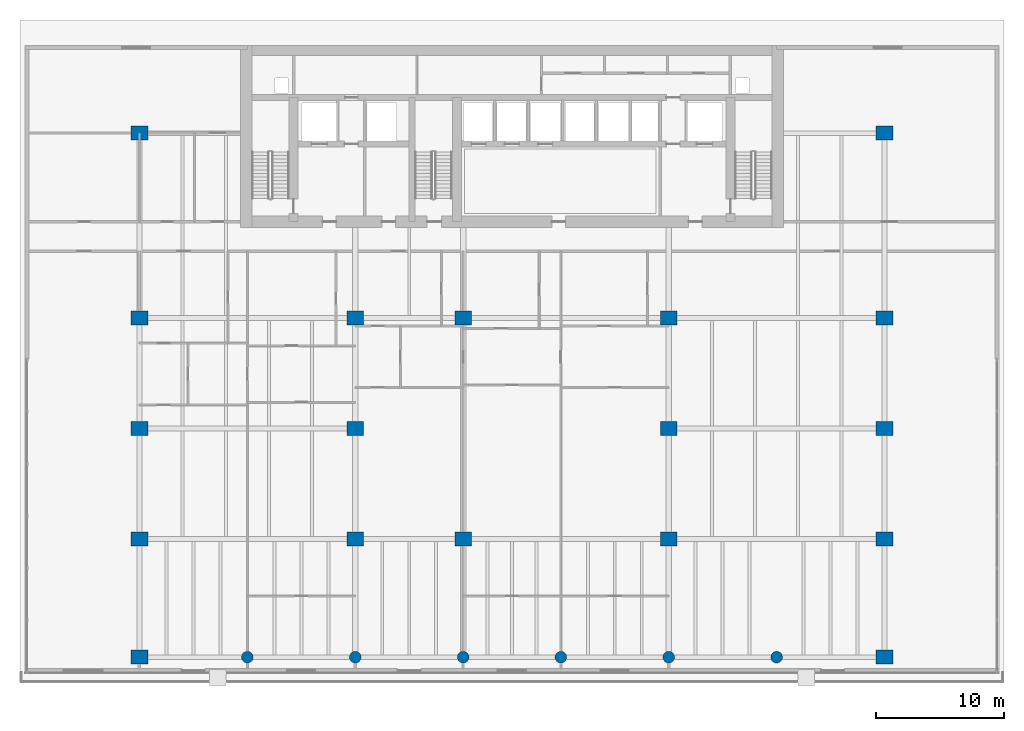
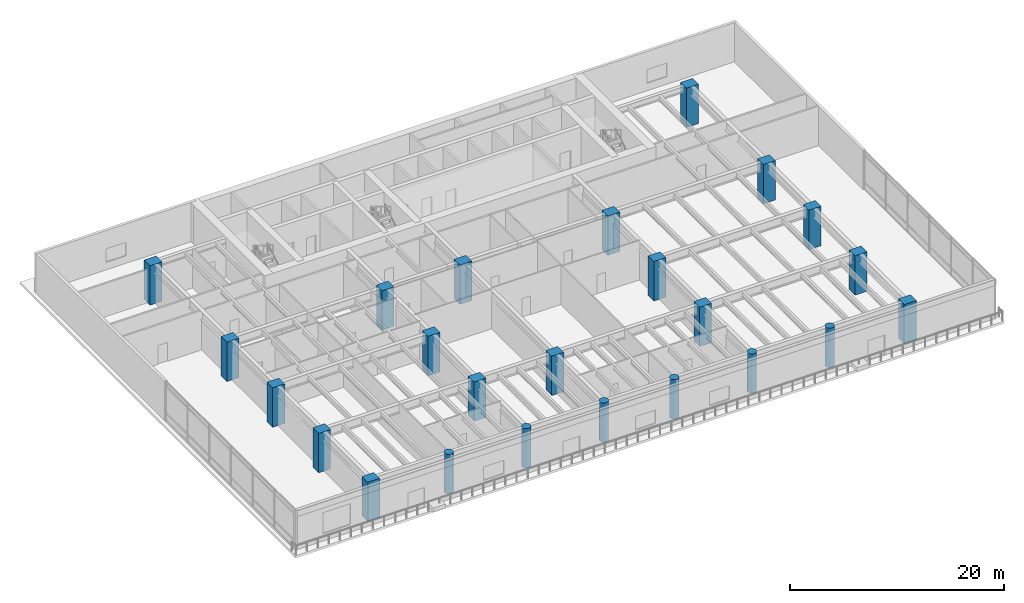
# One storey, part 1 of 14: 24 columns.
"""IFC4 building model written with IfcOpenShell, lengths in metres."""

from ifc_helpers import new_model, si_unit, direction, frame, origin, origin_2d, place, context, subcontext, project, spatial, rectangle, circle, extrude, material, material_profile, profile_set, type_object, element, save


model = new_model("IFC4")

# Units and contexts
model_context = context("Model", 3, precision=1e-05, world=origin(), true_north=direction((0.0, 1.0)))
body_context = subcontext(model_context, "Body", "Model", "MODEL_VIEW")
ifc_project = project(units=[si_unit("LENGTHUNIT", "METRE"), si_unit("AREAUNIT", "SQUARE_METRE"), si_unit("VOLUMEUNIT", "CUBIC_METRE"), si_unit("PLANEANGLEUNIT", "RADIAN"), si_unit("MASSUNIT", "GRAM", prefix="KILO")], contexts=[model_context])

# Site, building, storey
site_placement = place(None, origin())
site = spatial("IfcSite", under=ifc_project, at=site_placement, CompositionType="ELEMENT")
building_placement = place(site_placement, origin())
building = spatial("IfcBuilding", under=site, at=building_placement, Name="Caelmar Bay Residences", CompositionType="ELEMENT")
storey_placement = place(building_placement, frame((0.0, 0.0, 15.0)))
storey = spatial("IfcBuildingStorey", under=building, at=storey_placement, Name="L03", CompositionType="ELEMENT", Elevation=15.0)

# Columns
ifc_material = material(Name="Concrete f'c 70 MPa (10,000 psi)", Category="concrete")
ifc_material_profile_1 = material_profile(ifc_material, rectangle(XDim=1.300048828125, YDim=1.10009765625, at=origin_2d()), Name="RC-COL-1300X1100")
ifc_profile_set_1 = profile_set([ifc_material_profile_1], Name="Concrete f'c 70 MPa (10,000 psi)")
column_type_1 = type_object("IfcColumnType", Name="COL-RC-1300X1100", PredefinedType="COLUMN", material=ifc_profile_set_1)
for number, where, z_axis, x_axis, name in (
    (1, (9.89990234375, 3.0, 0.0), (0.0, 0.0, 1.0), (1.0, 0.0, 0.0), "L03 Column (9.90,3.00)"),
    (2, (67.89990234375, 3.0, 0.0), (0.0, 0.0, 1.0), (1.0, 0.0, 0.0), "L03 Column (67.90,3.00)"),
    (3, (9.89990234375, 12.199951171875, 0.0), (0.0, 0.0, 1.0), (1.0, 0.0, 0.0), "L03 Column (9.90,12.20)"),
    (4, (26.699951171875, 12.199951171875, 0.0), (0.0, 0.0, 1.0), (1.0, 0.0, 0.0), "L03 Column (26.70,12.20)"),
    (5, (35.10009765625, 12.199951171875, 0.0), (0.0, 0.0, 1.0), (1.0, 0.0, 0.0), "L03 Column (35.10,12.20)"),
    (6, (51.10009765625, 12.199951171875, 0.0), (0.0, 0.0, 1.0), (1.0, 0.0, 0.0), "L03 Column (51.10,12.20)"),
    (7, (67.89990234375, 12.199951171875, 0.0), (0.0, 0.0, 1.0), (1.0, 0.0, 0.0), "L03 Column (67.90,12.20)"),
    (8, (9.89990234375, 20.800048828125, 0.0), (0.0, 0.0, 1.0), (1.0, 0.0, 0.0), "L03 Column (9.90,20.80)"),
    (9, (26.699951171875, 20.800048828125, 0.0), (0.0, 0.0, 1.0), (1.0, 0.0, 0.0), "L03 Column (26.70,20.80)"),
    (10, (51.10009765625, 20.800048828125, 0.0), (0.0, 0.0, 1.0), (1.0, 0.0, 0.0), "L03 Column (51.10,20.80)"),
    (11, (67.89990234375, 20.800048828125, 0.0), (0.0, 0.0, 1.0), (1.0, 0.0, 0.0), "L03 Column (67.90,20.80)"),
    (12, (9.89990234375, 29.39990234375, 0.0), (0.0, 0.0, 1.0), (1.0, 0.0, 0.0), "L03 Column (9.90,29.40)"),
    (13, (26.699951171875, 29.39990234375, 0.0), (0.0, 0.0, 1.0), (1.0, 0.0, 0.0), "L03 Column (26.70,29.40)"),
    (14, (35.10009765625, 29.39990234375, 0.0), (0.0, 0.0, 1.0), (1.0, 0.0, 0.0), "L03 Column (35.10,29.40)"),
    (15, (51.10009765625, 29.39990234375, 0.0), (0.0, 0.0, 1.0), (1.0, 0.0, 0.0), "L03 Column (51.10,29.40)"),
    (16, (67.89990234375, 29.39990234375, 0.0), (0.0, 0.0, 1.0), (1.0, 0.0, 0.0), "L03 Column (67.90,29.40)"),
    (17, (9.89990234375, 43.800048828125, 0.0), (0.0, 0.0, 1.0), (1.0, 0.0, 0.0), "L03 Column (9.90,43.80)"),
    (18, (67.89990234375, 43.800048828125, 0.0), (0.0, 0.0, 1.0), (1.0, 0.0, 0.0), "L03 Column (67.90,43.80)"),
):
    element("IfcColumn", number, at=place(storey_placement, frame(where, z_axis=z_axis, x_axis=x_axis)), inside=storey, type_object=column_type_1, Name=name, PredefinedType="COLUMN", context=body_context, shape_type="SweptSolid", body=[
        extrude(rectangle(XDim=1.300048828125, YDim=1.10009765625, at=origin_2d()), origin(), (0.0, 0.0, 1.0), 4.5),
    ])
ifc_material_profile_2 = material_profile(ifc_material, circle(Radius=0.449951171875, at=origin_2d()), Name="RC-COL-900D")
ifc_profile_set_2 = profile_set([ifc_material_profile_2], Name="Concrete f'c 70 MPa (10,000 psi)")
column_type_2 = type_object("IfcColumnType", Name="COL-RC-900D", PredefinedType="COLUMN", material=ifc_profile_set_2)
for number, where, z_axis, x_axis, name in (
    (19, (18.300048828125, 3.0, 0.0), (0.0, 0.0, 1.0), (1.0, 0.0, 0.0), "L03 Column (18.30,3.00)"),
    (20, (26.699951171875, 3.0, 0.0), (0.0, 0.0, 1.0), (1.0, 0.0, 0.0), "L03 Column (26.70,3.00)"),
    (21, (35.10009765625, 3.0, 0.0), (0.0, 0.0, 1.0), (1.0, 0.0, 0.0), "L03 Column (35.10,3.00)"),
    (22, (42.699951171875, 3.0, 0.0), (0.0, 0.0, 1.0), (1.0, 0.0, 0.0), "L03 Column (42.70,3.00)"),
    (23, (51.10009765625, 3.0, 0.0), (0.0, 0.0, 1.0), (1.0, 0.0, 0.0), "L03 Column (51.10,3.00)"),
    (24, (59.5, 3.0, 0.0), (0.0, 0.0, 1.0), (1.0, 0.0, 0.0), "L03 Column (59.50,3.00)"),
):
    element("IfcColumn", number, at=place(storey_placement, frame(where, z_axis=z_axis, x_axis=x_axis)), inside=storey, type_object=column_type_2, Name=name, PredefinedType="COLUMN", context=body_context, shape_type="SweptSolid", body=[
        extrude(circle(Radius=0.449951171875, at=origin_2d()), origin(), (0.0, 0.0, 1.0), 4.5),
    ])

save(model, "model.ifc")
